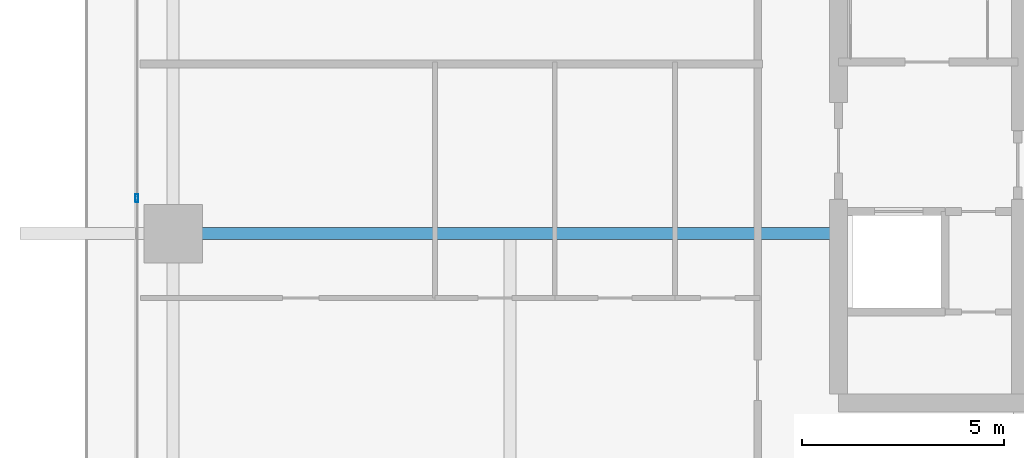
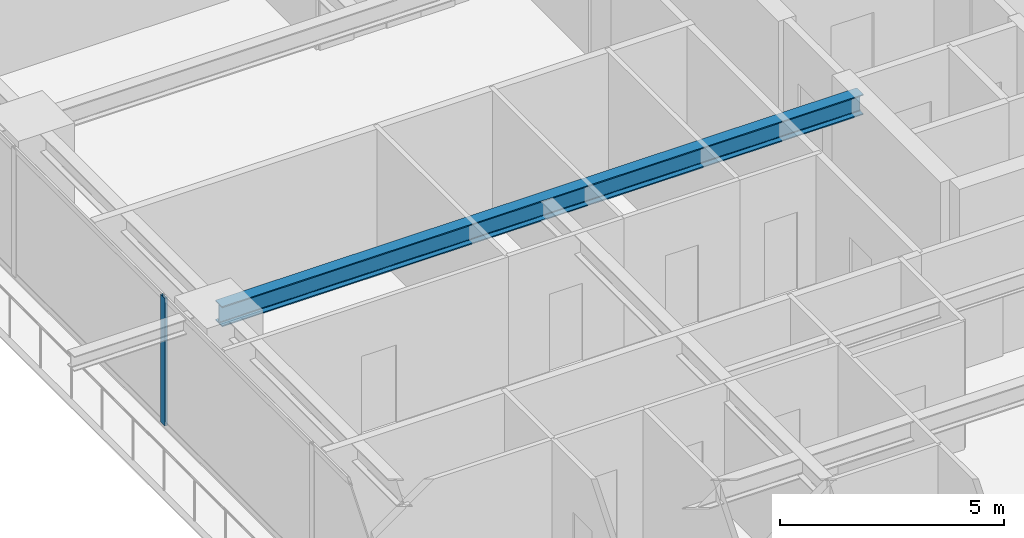
# One storey, part 7 of 38: 1 beam, 1 member, 1 element without a shape of its own.
"""IFC4 building model written with IfcOpenShell, lengths in metres."""

import ifcopenshell
import ifcopenshell.guid

model = None  # the IFC model being written
_history = None  # IfcOwnerHistory: only IFC2X3 demands one
_inside = {}  # id of a spatial element -> (the spatial element, [elements in it])
_under = {}  # id of a project, library or spatial element -> (it, [spatial elements below it])
_declared = {}  # id of a project -> (the project, [libraries it declares])
_typed = {}  # id of a type object -> (the type object, [elements of that type])
_made_of = {}  # id of a material, layer set ... -> (it, [elements and type objects made of it])


def new_model(schema):
    """Start an empty IFC model of exactly this schema.

    Asked for "IFC4X3", IfcOpenShell would pick the latest addendum, in which some entities
    have other attributes; the version numbers below select the first issue.
    IFC2X3 requires an IfcOwnerHistory on every rooted entity: one is made here for all.
    """
    global model, _history
    if schema == "IFC4X3":
        model = ifcopenshell.file(schema_version=(4, 3, 0, 0))
    else:
        model = ifcopenshell.file(schema=schema)
    _inside.clear()
    _under.clear()
    _declared.clear()
    _typed.clear()
    _made_of.clear()
    _history = None
    if model.schema == "IFC2X3":
        org = make("IfcOrganization", Name="unknown")
        user = make(
            "IfcPersonAndOrganization",
            ThePerson=make("IfcPerson", FamilyName="unknown"),
            TheOrganization=org,
        )
        app = make(
            "IfcApplication",
            ApplicationDeveloper=org,
            Version="unknown",
            ApplicationFullName="unknown",
            ApplicationIdentifier="unknown",
        )
        _history = make(
            "IfcOwnerHistory",
            OwningUser=user,
            OwningApplication=app,
            ChangeAction="ADDED",
            CreationDate=0,
        )
    return model


def make(cls, **values):
    """One entity of the class cls with the attributes given. An attribute that is None is left unset."""
    return model.create_entity(
        cls, **{name: value for name, value in values.items() if value is not None}
    )


def rooted(cls, **values):
    """An entity with a GlobalId (a new one), such as an element, a storey or a relation."""
    return make(cls, GlobalId=ifcopenshell.guid.new(), OwnerHistory=_history, **values)


def si_unit(unit_type, name, prefix=None):
    """IfcSIUnit, for example si_unit("LENGTHUNIT", "METRE", prefix="MILLI")."""
    return make("IfcSIUnit", UnitType=unit_type, Prefix=prefix, Name=name)


def assignment(units):
    """IfcUnitAssignment: the units of a project."""
    return None if units is None else make("IfcUnitAssignment", Units=units)


def point(xyz):
    """IfcCartesianPoint."""
    return None if xyz is None else make("IfcCartesianPoint", Coordinates=xyz)


def direction(xyz):
    """IfcDirection."""
    return None if xyz is None else make("IfcDirection", DirectionRatios=xyz)


def frame(location, z_axis=None, x_axis=None):
    """IfcAxis2Placement3D, a coordinate frame: its origin and axes. An axis left out is left unset."""
    return make(
        "IfcAxis2Placement3D",
        Location=point(location),
        Axis=direction(z_axis),
        RefDirection=direction(x_axis),
    )


def frame_2d(location, x_axis=None):
    """IfcAxis2Placement2D, a coordinate frame in the plane: its origin and x axis."""
    return make(
        "IfcAxis2Placement2D", Location=point(location), RefDirection=direction(x_axis)
    )


def origin():
    """The frame at (0, 0, 0) with its axes left unset."""
    return frame((0.0, 0.0, 0.0))


def origin_2d():
    """The frame at (0, 0) in the plane with its x axis left unset."""
    return frame_2d((0.0, 0.0))


def place(relative_to, where):
    """IfcLocalPlacement: puts the frame where relative to a parent placement (None: the world)."""
    return make(
        "IfcLocalPlacement", PlacementRelTo=relative_to, RelativePlacement=where
    )


def context(
    kind, dimensions, precision=None, world=None, true_north=None, identifier=None
):
    """IfcGeometricRepresentationContext, for example the 3D "Model" context."""
    return make(
        "IfcGeometricRepresentationContext",
        ContextIdentifier=identifier,
        ContextType=kind,
        CoordinateSpaceDimension=dimensions,
        Precision=precision,
        WorldCoordinateSystem=world,
        TrueNorth=true_north,
    )


def subcontext(parent, identifier, kind, view, scale=None):
    """IfcGeometricRepresentationSubContext, for example "Body" below "Model"."""
    return make(
        "IfcGeometricRepresentationSubContext",
        ContextIdentifier=identifier,
        ContextType=kind,
        ParentContext=parent,
        TargetScale=scale,
        TargetView=view,
    )


def project(units=None, contexts=None):
    """IfcProject with its units and contexts."""
    return rooted(
        "IfcProject",
        Name="project",
        RepresentationContexts=contexts,
        UnitsInContext=assignment(units),
    )


def spatial(cls, under=None, at=None, **own):
    """A site, building, storey or space (cls), placed at a placement, below another one or the project."""
    s = rooted(cls, ObjectPlacement=at, **own)
    if under is not None:
        _under.setdefault(under.id(), (under, []))[1].append(s)
    return s


def profile(cls, at=None, kind="AREA", **sizes):
    """A parametric profile (cls). Its sizes go by their IFC names, for example OverallWidth=200.0."""
    return make(cls, ProfileType=kind, Position=at, **sizes)


def hollow_rectangle(**sizes):
    """IfcRectangleHollowProfileDef."""
    return profile("IfcRectangleHollowProfileDef", **sizes)


def i_section(**sizes):
    """IfcIShapeProfileDef."""
    return profile("IfcIShapeProfileDef", **sizes)


def extrude(swept, where, along, depth):
    """IfcExtrudedAreaSolid: the profile swept, set in the frame where, extruded along a direction by depth."""
    return make(
        "IfcExtrudedAreaSolid",
        SweptArea=swept,
        Position=where,
        ExtrudedDirection=direction(along),
        Depth=depth,
    )


def shape(context_of_items, identifier, shape_type, items):
    """IfcShapeRepresentation: the items that make up one representation, for example the "Body"."""
    return make(
        "IfcShapeRepresentation",
        ContextOfItems=context_of_items,
        RepresentationIdentifier=identifier,
        RepresentationType=shape_type,
        Items=items,
    )


def source(mapping_origin, context_of_items, identifier, shape_type, items):
    """IfcRepresentationMap: a shape defined once, which mapped items show again and again."""
    return make(
        "IfcRepresentationMap",
        MappingOrigin=mapping_origin,
        MappedRepresentation=shape(context_of_items, identifier, shape_type, items),
    )


def transform(
    local_origin,
    x_axis=None,
    y_axis=None,
    z_axis=None,
    scale=None,
    scale2=None,
    scale3=None,
    uniform=True,
):
    """IfcCartesianTransformationOperator3D, or its non-uniform kind. x_axis, y_axis, z_axis: its Axis1, 2, 3."""
    if uniform:
        return make(
            "IfcCartesianTransformationOperator3D",
            Axis1=direction(x_axis),
            Axis2=direction(y_axis),
            LocalOrigin=point(local_origin),
            Scale=scale,
            Axis3=direction(z_axis),
        )
    return make(
        "IfcCartesianTransformationOperator3DnonUniform",
        Axis1=direction(x_axis),
        Axis2=direction(y_axis),
        LocalOrigin=point(local_origin),
        Scale=scale,
        Axis3=direction(z_axis),
        Scale2=scale2,
        Scale3=scale3,
    )


def mapped(mapping_source, mapping_target):
    """IfcMappedItem: shows the shape of a source again, moved by a transform."""
    return make(
        "IfcMappedItem", MappingSource=mapping_source, MappingTarget=mapping_target
    )


def material(Name=None, Category=None):
    """IfcMaterial."""
    return make("IfcMaterial", Name=Name, Category=Category)


def layer(
    of_material, thickness, ventilated=None, Name=None, Category=None, Priority=None
):
    """IfcMaterialLayer: one layer of a wall or slab, of a material (None: an air gap)."""
    return make(
        "IfcMaterialLayer",
        Material=of_material,
        LayerThickness=thickness,
        IsVentilated=ventilated,
        Name=Name,
        Category=Category,
        Priority=Priority,
    )


def layer_set(layers, Name=None):
    """IfcMaterialLayerSet."""
    return make("IfcMaterialLayerSet", MaterialLayers=layers, LayerSetName=Name)


def material_profile(
    of_material, cross_section, Name=None, Category=None, Priority=None
):
    """IfcMaterialProfile: a cross section and its material."""
    return make(
        "IfcMaterialProfile",
        Name=Name,
        Material=of_material,
        Profile=cross_section,
        Priority=Priority,
        Category=Category,
    )


def profile_set(profiles, Name=None, composite=None):
    """IfcMaterialProfileSet."""
    return make(
        "IfcMaterialProfileSet",
        Name=Name,
        MaterialProfiles=profiles,
        CompositeProfile=composite,
    )


def made_of(thing, what):
    """Note that an element or type object is made of a material, layer set ...; save() writes the relation."""
    if what is not None:
        _made_of.setdefault(what.id(), (what, []))[1].append(thing)
    return thing


def type_object(cls, material=None, **own):
    """A type object (cls), such as IfcWallType, which elements share."""
    return made_of(rooted(cls, **own), material)


def element(
    cls,
    number,
    at=None,
    inside=None,
    cuts=None,
    type_object=None,
    material=None,
    context=None,
    identifier="Body",
    shape_type=None,
    held_by="IfcProductDefinitionShape",
    body=None,
    shapes=None,
    **own,
):
    """One element of the class cls, such as IfcWall. Its Tag is "e" and its number.

    at: its placement. inside: the storey or other place that contains it. cuts: it is an
    opening in that element (IfcRelVoidsElement). A single representation is given by context,
    identifier, shape_type and body (its items); several are given by shapes. held_by: the class
    of the entity that holds the representations. save() writes the other relations.
    """
    e = rooted(cls, Tag="e%d" % number, ObjectPlacement=at, **own)
    if body is not None:
        shapes = [shape(context, identifier, shape_type, body)]
    if shapes is not None:
        e.Representation = make(held_by, Representations=shapes)
    if inside is not None:
        _inside.setdefault(inside.id(), (inside, []))[1].append(e)
    if cuts is not None:
        rooted(
            "IfcRelVoidsElement", RelatingBuildingElement=cuts, RelatedOpeningElement=e
        )
    if type_object is not None:
        _typed.setdefault(type_object.id(), (type_object, []))[1].append(e)
    return made_of(e, material)


def aggregate(whole, parts):
    """IfcRelAggregates: a whole, such as a stair, and the parts it consists of."""
    return rooted("IfcRelAggregates", RelatingObject=whole, RelatedObjects=parts)


def save(model, path):
    """Write the relations noted so far, then the file.

    IfcRelAggregates (storeys below a building ...), IfcRelContainedInSpatialStructure (elements
    in a storey), IfcRelDefinesByType, IfcRelAssociatesMaterial and IfcRelDeclares: one each for
    every whole, place, type object, material and project.
    """
    for whole, parts in _under.values():
        aggregate(whole, parts)
    for where, things in _inside.values():
        rooted(
            "IfcRelContainedInSpatialStructure",
            RelatedElements=things,
            RelatingStructure=where,
        )
    for kind, things in _typed.values():
        rooted("IfcRelDefinesByType", RelatedObjects=things, RelatingType=kind)
    for what, things in _made_of.values():
        rooted("IfcRelAssociatesMaterial", RelatedObjects=things, RelatingMaterial=what)
    for by, libraries in _declared.values():
        rooted("IfcRelDeclares", RelatingContext=by, RelatedDefinitions=libraries)
    model.write(path)


model = new_model("IFC4")

# Units and contexts
model_context = context("Model", 3, precision=1e-05, world=origin(), true_north=direction((0.0, 1.0)))
body_context = subcontext(model_context, "Body", "Model", "MODEL_VIEW")
ifc_project = project(units=[si_unit("LENGTHUNIT", "METRE"), si_unit("AREAUNIT", "SQUARE_METRE"), si_unit("VOLUMEUNIT", "CUBIC_METRE"), si_unit("PLANEANGLEUNIT", "RADIAN"), si_unit("MASSUNIT", "GRAM", prefix="KILO")], contexts=[model_context])

# Site, building, storey
site_placement = place(None, origin())
site = spatial("IfcSite", under=ifc_project, at=site_placement, CompositionType="ELEMENT")
building_placement = place(site_placement, origin())
building = spatial("IfcBuilding", under=site, at=building_placement, Name="Serunith Strait Residences", CompositionType="ELEMENT")
storey_placement = place(building_placement, frame((0.0, 0.0, 37.949951171875)))
storey = spatial("IfcBuildingStorey", under=building, at=storey_placement, Name="L08", CompositionType="ELEMENT", Elevation=37.949951171875)

# Beam
ifc_material_1 = material(Name="Steel S355J2", Category="steel")
ifc_material_profile_1 = material_profile(ifc_material_1, i_section(OverallWidth=0.300048828125, OverallDepth=0.550048828125, WebThickness=0.014892578125, FlangeThickness=0.029052734375, FilletRadius=0.027099609375, at=origin_2d()), Name="HEB 550")
ifc_profile_set_1 = profile_set([ifc_material_profile_1], Name="Steel S355J2")
beam_type = type_object("IfcBeamType", Name="BM-HEB550", PredefinedType="BEAM", material=ifc_profile_set_1)
shared_shape_1 = source(origin(), body_context, "Body", "SweptSolid", [
    extrude(i_section(OverallWidth=0.300048828125, OverallDepth=0.550048828125, WebThickness=0.014892578125, FlangeThickness=0.029052734375, FilletRadius=0.027099609375, at=origin_2d()), origin(), (0.0, 0.0, 1.0), 16.5),
])
beam_placement = place(storey_placement, frame((23.39990234375, 21.0, 3.212158203125), z_axis=(-1.0, 0.0, 0.0), x_axis=(0.0, -1.0, 0.0)))
element("IfcBeam", 1, at=beam_placement, inside=storey, type_object=beam_type, Name="L08 Primary Floor Girder TC-W2", PredefinedType="BEAM", context=body_context, shape_type="MappedRepresentation", body=[
    mapped(shared_shape_1, transform((0.0, 0.0, 0.0), scale=1.0)),
])

# Curtain wall, member
ifc_material_2 = material(Name="Pale-Champagne Anodised Aluminium", Category="aluminium")
ifc_layer = layer(ifc_material_2, 0.199951171875, Name="Pale-Champagne Anodised Aluminium")
ifc_layer_set = layer_set([ifc_layer], Name="Pale-Champagne Anodised Aluminium")
curtain_wall_type = type_object("IfcCurtainWallType", Name="CW-SYS1", PredefinedType="NOTDEFINED", material=ifc_layer_set)
curtain_wall_placement = place(storey_placement, origin())
curtain_wall = element("IfcCurtainWall", 2, at=curtain_wall_placement, inside=storey, type_object=curtain_wall_type, Name="L08 W Unitised Fritted Curtain Wall", PredefinedType="NOTDEFINED")
ifc_material_profile_2 = material_profile(ifc_material_2, hollow_rectangle(XDim=0.070068359375, YDim=0.199951171875, WallThickness=0.00390625, InnerFilletRadius=0.006103515625, OuterFilletRadius=0.010009765625, at=origin_2d()), Name="ALU 200x70x4")
ifc_profile_set_2 = profile_set([ifc_material_profile_2], Name="Pale-Champagne Anodised Aluminium")
member_type = type_object("IfcMemberType", Name="CW-SYS1-MULL", PredefinedType="MULLION", material=ifc_profile_set_2)
shared_shape_2 = source(origin(), body_context, "Body", "SweptSolid", [
    extrude(hollow_rectangle(XDim=0.070068359375, YDim=0.199951171875, WallThickness=0.00390625, InnerFilletRadius=0.006103515625, OuterFilletRadius=0.010009765625, at=origin_2d()), origin(), (0.0, 0.0, 1.0), 3.47509765625),
])
member_placement = place(storey_placement, frame((6.0, 21.8798828125, 0.0), z_axis=(0.0, 0.0, 1.0), x_axis=(1.0, 0.0, 0.0)))
member = element("IfcMember", 3, at=member_placement, type_object=member_type, Name="CW-1 mullion 4", PredefinedType="MULLION", context=body_context, shape_type="MappedRepresentation", body=[
    mapped(shared_shape_2, transform((0.0, 0.0, 0.0), scale=1.0)),
])
aggregate(curtain_wall, [member])

save(model, "model.ifc")
